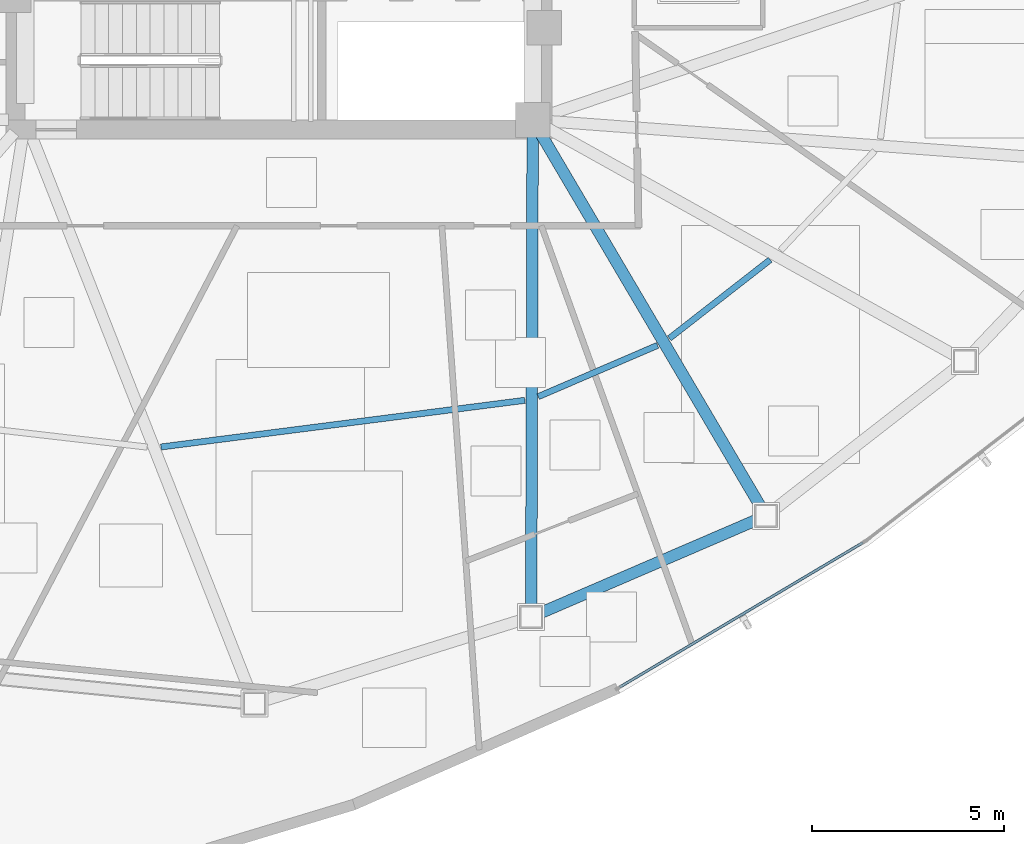
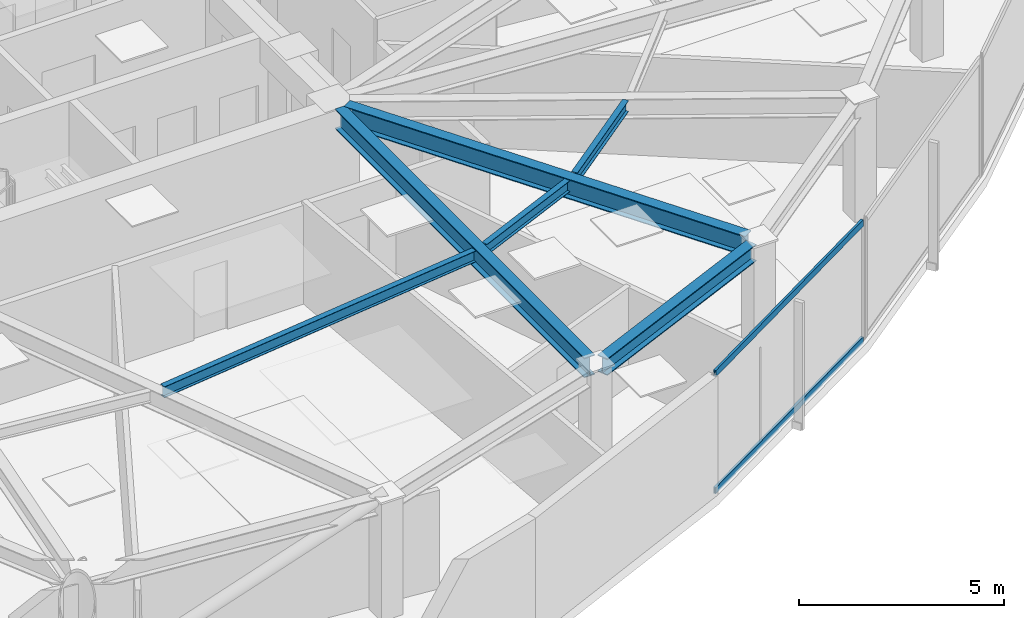
# One storey, part 3 of 18: 6 beams, 2 members, 1 element without a shape of its own.
"""IFC4 building model written with IfcOpenShell, lengths in metres."""

from ifc_helpers import new_model, si_unit, direction, frame, origin, origin_2d, place, context, subcontext, project, spatial, hollow_rectangle, i_section, extrude, source, transform, mapped, material, layer, layer_set, material_profile, profile_set, type_object, type_shapes, element, aggregate, save


model = new_model("IFC4")

# Units and contexts
model_context = context("Model", 3, precision=1e-05, world=origin(), true_north=direction((0.0, 1.0)))
body_context = subcontext(model_context, "Body", "Model", "MODEL_VIEW")
ifc_project = project(units=[si_unit("LENGTHUNIT", "METRE"), si_unit("AREAUNIT", "SQUARE_METRE"), si_unit("VOLUMEUNIT", "CUBIC_METRE"), si_unit("PLANEANGLEUNIT", "RADIAN"), si_unit("MASSUNIT", "GRAM", prefix="KILO")], contexts=[model_context])

# Site, building, storey
site_placement = place(None, origin())
site = spatial("IfcSite", under=ifc_project, at=site_placement, CompositionType="ELEMENT")
building_placement = place(site_placement, origin())
building = spatial("IfcBuilding", under=site, at=building_placement, Name="Tavelor Broadcast Tower", CompositionType="ELEMENT")
storey_placement = place(building_placement, frame((0.0, 0.0, 177.199951171875)))
storey = spatial("IfcBuildingStorey", under=building, at=storey_placement, Name="L42", CompositionType="ELEMENT", Elevation=177.199951171875)

# Beams
ifc_material_1 = material(Name="Steel S355", Category="steel")
ifc_material_profile_1 = material_profile(ifc_material_1, i_section(OverallWidth=0.159912109375, OverallDepth=0.330078125, WebThickness=0.007568359375, FlangeThickness=0.011474609375, at=origin_2d()), Name="IPE 330")
ifc_profile_set_1 = profile_set([ifc_material_profile_1], Name="Steel S355")
beam_type_1 = type_object("IfcBeamType", Name="Composite Floor Joist T4 IPE 330", PredefinedType="JOIST", material=ifc_profile_set_1)
beam_1_placement = place(storey_placement, frame((46.931396484375, 30.294921875, 3.385009765625), z_axis=(0.991879761862, 0.127179157129, 0.0), x_axis=(-0.127179157129, 0.991879761862, 0.0)))
element("IfcBeam", 1, at=beam_1_placement, inside=storey, type_object=beam_type_1, Name="L42 Secondary Composite Floor Joist 08", PredefinedType="JOIST", context=body_context, shape_type="SweptSolid", body=[
    extrude(i_section(OverallWidth=0.159912109375, OverallDepth=0.330078125, WebThickness=0.007568359375, FlangeThickness=0.011474609375, at=origin_2d()), origin(), (0.0, 0.0, 1.0), 9.54443359375),
])
beam_2_placement = place(storey_placement, frame((56.744384765625, 31.603515625, 3.385009765625), z_axis=(0.918692008618, 0.394974674254, 0.0), x_axis=(-0.394974674254, 0.918692008618, 0.0)))
element("IfcBeam", 2, at=beam_2_placement, inside=storey, type_object=beam_type_1, Name="L42 Secondary Composite Floor Joist 09", PredefinedType="JOIST", context=body_context, shape_type="SweptSolid", body=[
    extrude(i_section(OverallWidth=0.159912109375, OverallDepth=0.330078125, WebThickness=0.007568359375, FlangeThickness=0.011474609375, at=origin_2d()), origin(), (0.0, 0.0, 1.0), 3.37744140625),
])
beam_3_placement = place(storey_placement, frame((60.156005859375, 33.120361328125, 3.385009765625), z_axis=(0.788651848012, 0.614840030112, 0.0), x_axis=(-0.614840030112, 0.788651848012, 0.0)))
element("IfcBeam", 3, at=beam_3_placement, inside=storey, type_object=beam_type_1, Name="L42 Secondary Composite Floor Joist 10", PredefinedType="JOIST", context=body_context, shape_type="SweptSolid", body=[
    extrude(i_section(OverallWidth=0.159912109375, OverallDepth=0.330078125, WebThickness=0.007568359375, FlangeThickness=0.011474609375, at=origin_2d()), origin(), (0.0, 0.0, 1.0), 3.32470703125),
])
ifc_material_profile_2 = material_profile(ifc_material_1, i_section(OverallWidth=0.300048828125, OverallDepth=0.5, WebThickness=0.014404296875, FlangeThickness=0.028076171875, at=origin_2d()), Name="HEB 500")
ifc_profile_set_2 = profile_set([ifc_material_profile_2], Name="Steel S355")
beam_type_2 = type_object("IfcBeamType", Name="Perimeter Spandrel Beam T4 HEB 500", PredefinedType="SPANDREL", material=ifc_profile_set_2)
beam_4_placement = place(storey_placement, frame((56.825439453125, 25.98681640625, 3.300048828125), z_axis=(0.91846180915, 0.395509677672, 0.0), x_axis=(-0.395509677672, 0.91846180915, 0.0)))
element("IfcBeam", 4, at=beam_4_placement, inside=storey, type_object=beam_type_2, Name="L42 Framed-Tube Ring Spandrel 09", PredefinedType="SPANDREL", context=body_context, shape_type="SweptSolid", body=[
    extrude(i_section(OverallWidth=0.300048828125, OverallDepth=0.5, WebThickness=0.014404296875, FlangeThickness=0.028076171875, at=origin_2d()), origin(), (0.0, 0.0, 1.0), 6.07470703125),
])
ifc_material_profile_3 = material_profile(ifc_material_1, i_section(OverallWidth=0.300048828125, OverallDepth=0.590087890625, WebThickness=0.012939453125, FlangeThickness=0.02490234375, at=origin_2d()), Name="HEA 600")
ifc_profile_set_3 = profile_set([ifc_material_profile_3], Name="Steel S355")
beam_type_3 = type_object("IfcBeamType", Name="Radial Floor Girder T4 HEA 600", PredefinedType="BEAM", material=ifc_profile_set_3)
beam_5_placement = place(storey_placement, frame((56.5986328125, 38.367919921875, 3.255126953125), z_axis=(-0.0029999865, -0.99999550003, 0.0), x_axis=(0.99999550003, -0.0029999865, 0.0)))
element("IfcBeam", 5, at=beam_5_placement, inside=storey, type_object=beam_type_3, Name="L42 Radial Primary Floor Girder 09", PredefinedType="BEAM", context=body_context, shape_type="SweptSolid", body=[
    extrude(i_section(OverallWidth=0.300048828125, OverallDepth=0.590087890625, WebThickness=0.012939453125, FlangeThickness=0.02490234375, at=origin_2d()), origin(), (0.0, 0.0, 1.0), 12.20703125),
])
beam_6_placement = place(storey_placement, frame((56.8193359375, 38.427734375, 3.255126953125), z_axis=(0.50778362975, -0.861484640233, 0.0), x_axis=(0.861484640233, 0.50778362975, 0.0)))
element("IfcBeam", 6, at=beam_6_placement, inside=storey, type_object=beam_type_3, Name="L42 Radial Primary Floor Girder 10", PredefinedType="BEAM", context=body_context, shape_type="SweptSolid", body=[
    extrude(i_section(OverallWidth=0.300048828125, OverallDepth=0.590087890625, WebThickness=0.012939453125, FlangeThickness=0.02490234375, at=origin_2d()), origin(), (0.0, 0.0, 1.0), 11.232421875),
])

# Curtain wall, members
ifc_material_2 = material(Name="Architectural Anodized Aluminium", Category="aluminium")
ifc_layer = layer(ifc_material_2, 0.18994140625)
ifc_layer_set = layer_set([ifc_layer], Name="Architectural Anodized Aluminium")
curtain_wall_type = type_object("IfcCurtainWallType", Name="Tower Mid-Zone Acoustic Curtain Wall CW03", PredefinedType="NOTDEFINED", material=ifc_layer_set)
curtain_wall_placement = place(storey_placement, origin())
curtain_wall = element("IfcCurtainWall", 7, at=curtain_wall_placement, inside=storey, type_object=curtain_wall_type, Name="L42 Curtain Wall CW03 Run 449", PredefinedType="NOTDEFINED")
ifc_material_profile_4 = material_profile(ifc_material_2, hollow_rectangle(XDim=0.068115234375, YDim=0.18994140625, WallThickness=0.02197265625, at=origin_2d()), Name="RHS 68x190x22")
ifc_profile_set_4 = profile_set([ifc_material_profile_4], Name="Architectural Anodized Aluminium")
member_type = type_object("IfcMemberType", Name="CW03 Extruded Aluminium Transom 68x190", PredefinedType="USERDEFINED", material=ifc_profile_set_4)
shared_shape = source(origin(), body_context, "Body", "SweptSolid", [
    extrude(hollow_rectangle(XDim=0.068115234375, YDim=0.18994140625, WallThickness=0.02197265625, at=origin_2d()), origin(), (0.0, 0.0, 1.0), 7.353515625),
])
type_shapes(member_type, [shared_shape])
member_1_placement = place(storey_placement, frame((58.8642578125, 24.048095703125, 0.033935546875), z_axis=(0.859626929349, 0.510922246862, 0.0), x_axis=(-0.510922246862, 0.859626929349, 0.0)))
member_1 = element("IfcMember", 8, at=member_1_placement, type_object=member_type, Name="CW03 transom 1.1", ObjectType="TRANSOM", PredefinedType="USERDEFINED", context=body_context, shape_type="MappedRepresentation", body=[
    mapped(shared_shape, transform((0.0, 0.0, 0.0), scale=1.0)),
])
member_2_placement = place(storey_placement, frame((58.8642578125, 24.048095703125, 3.51611328125), z_axis=(0.859626929349, 0.510922246862, 0.0), x_axis=(-0.510922246862, 0.859626929349, 0.0)))
member_2 = element("IfcMember", 9, at=member_2_placement, type_object=member_type, Name="CW03 transom 1.2", ObjectType="TRANSOM", PredefinedType="USERDEFINED", context=body_context, shape_type="MappedRepresentation", body=[
    mapped(shared_shape, transform((0.0, 0.0, 0.0), scale=1.0)),
])
aggregate(curtain_wall, [member_1, member_2])

save(model, "model.ifc")
